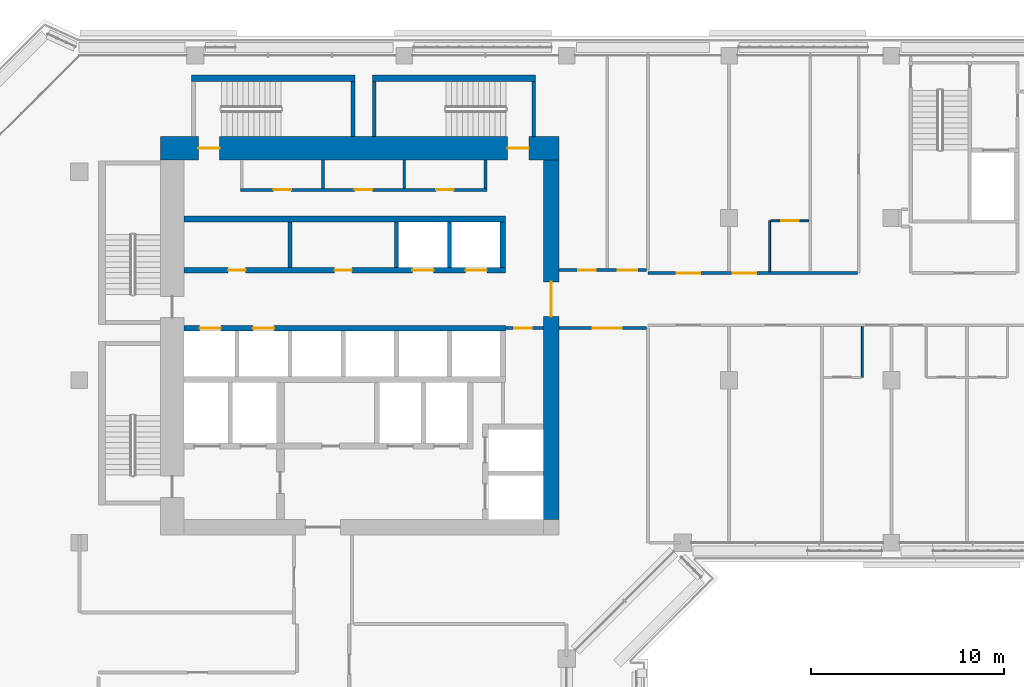
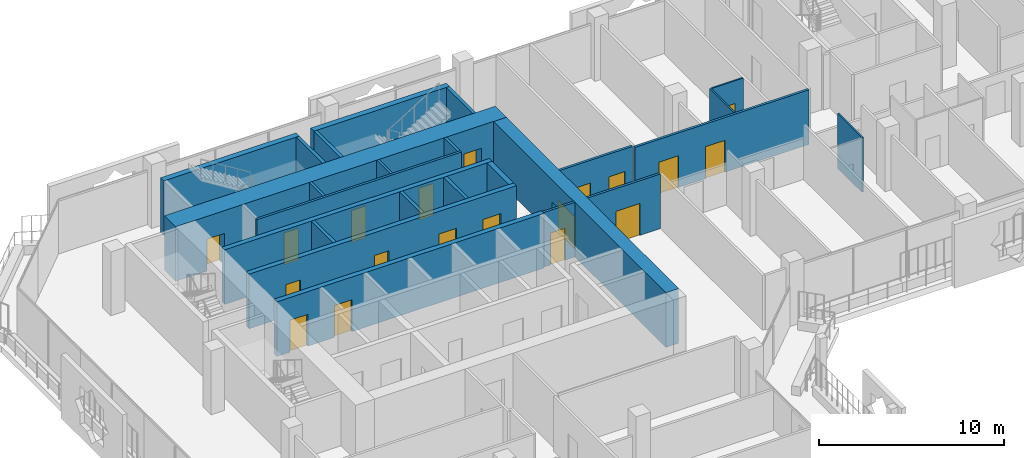
# One storey, part 12 of 22: 25 walls, 19 doors, 19 openings.
"""IFC4 building model written with IfcOpenShell, lengths in metres."""

from ifc_helpers import new_model, si_unit, direction, frame, frame_2d, origin, place, context, subcontext, project, spatial, rectangle, extrude, material, layer, layer_set, type_object, element, fill, save


model = new_model("IFC4")

# Units and contexts
model_context = context("Model", 3, precision=1e-05, world=origin(), true_north=direction((0.0, 1.0)))
body_context = subcontext(model_context, "Body", "Model", "MODEL_VIEW")
ifc_project = project(units=[si_unit("LENGTHUNIT", "METRE"), si_unit("AREAUNIT", "SQUARE_METRE"), si_unit("VOLUMEUNIT", "CUBIC_METRE"), si_unit("PLANEANGLEUNIT", "RADIAN"), si_unit("MASSUNIT", "GRAM", prefix="KILO")], contexts=[model_context])

# Site, building, storey
site_placement = place(None, origin())
site = spatial("IfcSite", under=ifc_project, at=site_placement, CompositionType="ELEMENT")
building_placement = place(site_placement, origin())
building = spatial("IfcBuilding", under=site, at=building_placement, Name="Kawkab Arch Medical Tower", CompositionType="ELEMENT")
storey_placement = place(building_placement, frame((0.0, 0.0, 251.60009765625)))
storey = spatial("IfcBuildingStorey", under=building, at=storey_placement, Name="L58", CompositionType="ELEMENT", Elevation=251.60009765625)

# Wall, openings, doors
ifc_material_1 = material(Name="Concrete C50/60", Category="concrete")
ifc_layer_1 = layer(ifc_material_1, 1.199951171875)
ifc_layer_set_1 = layer_set([ifc_layer_1], Name="Concrete C50/60")
wall_type_1 = type_object("IfcWallType", Name="Core ring wall 1200 C50/60", PredefinedType="SHEAR", material=ifc_layer_set_1)
wall_1_placement = place(storey_placement, frame((4.199951171875, -4.800048828125, 0.0), z_axis=(0.0, 0.0, 1.0), x_axis=(1.0, 0.0, 0.0)))
wall_1 = element("IfcWall", 1, at=wall_1_placement, inside=storey, type_object=wall_type_1, Name="L58 core wall", PredefinedType="SHEAR", context=body_context, shape_type="SweptSolid", body=[
    extrude(rectangle(XDim=20.60009765625, YDim=1.199951171875, at=frame_2d((10.300048828125, 0.0))), origin(), (0.0, 0.0, 1.0), 3.599853515625),
])
opening_1_placement = place(wall_1_placement, frame((1.949951171875, 0.0, 0.0)))
opening_1 = element("IfcOpeningElement", 2, at=opening_1_placement, cuts=wall_1, Name="Opening SD", PredefinedType="OPENING", context=body_context, shape_type="SweptSolid", body=[
    extrude(rectangle(XDim=1.10009765625, YDim=2.10009765625, at=frame_2d((0.550048828125, 1.050048828125))), frame((0.0, 0.60986328125, 0.0), z_axis=(0.0, -1.0, 0.0), x_axis=(1.0, 0.0, 0.0)), (0.0, 0.0, 1.0), 1.219970703125),
])
opening_2_placement = place(wall_1_placement, frame((17.949951171875, 0.0, 0.0)))
opening_2 = element("IfcOpeningElement", 3, at=opening_2_placement, cuts=wall_1, Name="Opening SD", PredefinedType="OPENING", context=body_context, shape_type="SweptSolid", body=[
    extrude(rectangle(XDim=1.10009765625, YDim=2.10009765625, at=frame_2d((0.550048828125, 1.050048828125))), frame((0.0, 0.60986328125, 0.0), z_axis=(0.0, -1.0, 0.0), x_axis=(1.0, 0.0, 0.0)), (0.0, 0.0, 1.0), 1.219970703125),
])
ifc_material_2 = material(Name="Hollow metal fire door leaf")
door_type_1 = type_object("IfcDoorType", Name="Exit stair door 1100", OperationType="SINGLE_SWING_LEFT", PredefinedType="DOOR", material=ifc_material_2)
door_1_placement = place(opening_1_placement, origin())
door_1 = element("IfcDoor", 4, at=door_1_placement, inside=storey, type_object=door_type_1, Name="L58 Exit stair ST3 door", OperationType="SINGLE_SWING_LEFT", OverallHeight=2.10009765625, OverallWidth=1.10009765625, PredefinedType="DOOR", context=body_context, shape_type="SweptSolid", body=[
    extrude(rectangle(XDim=1.10009765625, YDim=2.10009765625, at=frame_2d((0.550048828125, 1.050048828125))), frame((0.0, 0.02490234375, 0.0), z_axis=(0.0, -1.0, 0.0), x_axis=(1.0, 0.0, 0.0)), (0.0, 0.0, 1.0), 0.050048828125),
])
fill(opening_1, door_1)
door_2_placement = place(opening_2_placement, origin())
door_2 = element("IfcDoor", 5, at=door_2_placement, inside=storey, type_object=door_type_1, Name="L58 Exit stair ST4 door", OperationType="SINGLE_SWING_LEFT", OverallHeight=2.10009765625, OverallWidth=1.10009765625, PredefinedType="DOOR", context=body_context, shape_type="SweptSolid", body=[
    extrude(rectangle(XDim=1.10009765625, YDim=2.10009765625, at=frame_2d((0.550048828125, 1.050048828125))), frame((0.0, 0.02490234375, 0.0), z_axis=(0.0, -1.0, 0.0), x_axis=(1.0, 0.0, 0.0)), (0.0, 0.0, 1.0), 0.050048828125),
])
fill(opening_2, door_2)

# Wall, opening, door
ifc_material_3 = material(Name="Concrete C50/60", Category="concrete")
ifc_layer_2 = layer(ifc_material_3, 0.800048828125)
ifc_layer_set_2 = layer_set([ifc_layer_2], Name="Concrete C50/60")
wall_type_2 = type_object("IfcWallType", Name="Core ring wall 800 C50/60", PredefinedType="SHEAR", material=ifc_layer_set_2)
wall_2_placement = place(storey_placement, frame((24.39990234375, -24.0, 0.0), z_axis=(0.0, 0.0, 1.0), x_axis=(0.0, 1.0, 0.0)))
wall_2 = element("IfcWall", 6, at=wall_2_placement, inside=storey, type_object=wall_type_2, Name="L58 core wall", PredefinedType="SHEAR", context=body_context, shape_type="SweptSolid", body=[
    extrude(rectangle(XDim=18.60009765625, YDim=0.800048828125, at=frame_2d((9.300048828125, 0.0))), origin(), (0.0, 0.0, 1.0), 3.599853515625),
])
opening_3_placement = place(wall_2_placement, frame((10.5, 0.0, 0.0)))
opening_3 = element("IfcOpeningElement", 7, at=opening_3_placement, cuts=wall_2, Name="Opening PD", PredefinedType="OPENING", context=body_context, shape_type="SweptSolid", body=[
    extrude(rectangle(XDim=1.800048828125, YDim=2.10009765625, at=frame_2d((0.89990234375, 1.050048828125))), frame((0.0, 0.409912109375, 0.0), z_axis=(0.0, -1.0, 0.0), x_axis=(1.0, 0.0, 0.0)), (0.0, 0.0, 1.0), 0.820068359375),
])
ifc_material_4 = material(Name="Hollow metal fire door leaf")
door_type_2 = type_object("IfcDoorType", Name="Core entrance doors 1800", OperationType="DOUBLE_DOOR_SINGLE_SWING", PredefinedType="DOOR", material=ifc_material_4)
door_3_placement = place(opening_3_placement, origin())
door_3 = element("IfcDoor", 8, at=door_3_placement, inside=storey, type_object=door_type_2, Name="L58 East entrance doors", OperationType="DOUBLE_DOOR_SINGLE_SWING", OverallHeight=2.10009765625, OverallWidth=1.800048828125, PredefinedType="DOOR", context=body_context, shape_type="SweptSolid", body=[
    extrude(rectangle(XDim=1.800048828125, YDim=2.10009765625, at=frame_2d((0.89990234375, 1.050048828125))), frame((0.0, 0.02490234375, 0.0), z_axis=(0.0, -1.0, 0.0), x_axis=(1.0, 0.0, 0.0)), (0.0, 0.0, 1.0), 0.050048828125),
])
fill(opening_3, door_3)

ifc_material_5 = material(Name="Gypsum board on steel studs", Category="steel")
ifc_layer_3 = layer(ifc_material_5, 0.14990234375)
ifc_layer_set_3 = layer_set([ifc_layer_3], Name="Gypsum board on steel studs")
wall_type_3 = type_object("IfcWallType", Name="Core room partition 150", PredefinedType="PARTITIONING", material=ifc_layer_set_3)
wall_3_placement = place(storey_placement, frame((22.050048828125, -14.10009765625, 0.0), z_axis=(0.0, 0.0, 1.0), x_axis=(1.0, 0.0, 0.0)))
wall_3 = element("IfcWall", 9, at=wall_3_placement, inside=storey, type_object=wall_type_3, Name="L58 core room partition", PredefinedType="PARTITIONING", context=body_context, shape_type="SweptSolid", body=[
    extrude(rectangle(XDim=1.949951171875, YDim=0.14990234375, at=frame_2d((0.97509765625, 0.0))), origin(), (0.0, 0.0, 1.0), 3.599853515625),
])
opening_4_placement = place(wall_3_placement, frame((0.449951171875, 0.0, 0.0)))
opening_4 = element("IfcOpeningElement", 10, at=opening_4_placement, cuts=wall_3, Name="Opening RD", PredefinedType="OPENING", context=body_context, shape_type="SweptSolid", body=[
    extrude(rectangle(XDim=0.89990234375, YDim=2.10009765625, at=frame_2d((0.449951171875, 1.050048828125))), frame((0.0, 0.0849609375, 0.0), z_axis=(0.0, -1.0, 0.0), x_axis=(1.0, 0.0, 0.0)), (0.0, 0.0, 1.0), 0.169921875),
])
ifc_material_6 = material(Name="Hollow metal fire door leaf")
door_type_3 = type_object("IfcDoorType", Name="Core room door 900", OperationType="SINGLE_SWING_LEFT", PredefinedType="DOOR", material=ifc_material_6)
door_4_placement = place(opening_4_placement, origin())
door_4 = element("IfcDoor", 11, at=door_4_placement, inside=storey, type_object=door_type_3, Name="L58 Housekeeping store door", OperationType="SINGLE_SWING_LEFT", OverallHeight=2.10009765625, OverallWidth=0.89990234375, PredefinedType="DOOR", context=body_context, shape_type="SweptSolid", body=[
    extrude(rectangle(XDim=0.89990234375, YDim=2.10009765625, at=frame_2d((0.449951171875, 1.050048828125))), frame((0.0, 0.02490234375, 0.0), z_axis=(0.0, -1.0, 0.0), x_axis=(1.0, 0.0, 0.0)), (0.0, 0.0, 1.0), 0.050048828125),
])
fill(opening_4, door_4)

# Wall, openings, doors
wall_4_placement = place(storey_placement, frame((8.324951171875, -6.949951171875, 0.0), z_axis=(0.0, 0.0, 1.0), x_axis=(1.0, 0.0, 0.0)))
wall_4 = element("IfcWall", 12, at=wall_4_placement, inside=storey, type_object=wall_type_3, Name="L58 core room partition", PredefinedType="PARTITIONING", context=body_context, shape_type="SweptSolid", body=[
    extrude(rectangle(XDim=12.75, YDim=0.14990234375, at=frame_2d((6.375, 0.0))), origin(), (0.0, 0.0, 1.0), 3.599853515625),
])
opening_5_placement = place(wall_4_placement, frame((1.72509765625, 0.0, 0.0)))
opening_5 = element("IfcOpeningElement", 13, at=opening_5_placement, cuts=wall_4, Name="Opening RD", PredefinedType="OPENING", context=body_context, shape_type="SweptSolid", body=[
    extrude(rectangle(XDim=0.89990234375, YDim=2.10009765625, at=frame_2d((0.449951171875, 1.050048828125))), frame((0.0, 0.0849609375, 0.0), z_axis=(0.0, -1.0, 0.0), x_axis=(1.0, 0.0, 0.0)), (0.0, 0.0, 1.0), 0.169921875),
])
opening_6_placement = place(wall_4_placement, frame((5.925048828125, 0.0, 0.0)))
opening_6 = element("IfcOpeningElement", 14, at=opening_6_placement, cuts=wall_4, Name="Opening RD", PredefinedType="OPENING", context=body_context, shape_type="SweptSolid", body=[
    extrude(rectangle(XDim=0.89990234375, YDim=2.10009765625, at=frame_2d((0.449951171875, 1.050048828125))), frame((0.0, 0.0849609375, 0.0), z_axis=(0.0, -1.0, 0.0), x_axis=(1.0, 0.0, 0.0)), (0.0, 0.0, 1.0), 0.169921875),
])
opening_7_placement = place(wall_4_placement, frame((10.125, 0.0, 0.0)))
opening_7 = element("IfcOpeningElement", 15, at=opening_7_placement, cuts=wall_4, Name="Opening RD", PredefinedType="OPENING", context=body_context, shape_type="SweptSolid", body=[
    extrude(rectangle(XDim=0.89990234375, YDim=2.10009765625, at=frame_2d((0.449951171875, 1.050048828125))), frame((0.0, 0.0849609375, 0.0), z_axis=(0.0, -1.0, 0.0), x_axis=(1.0, 0.0, 0.0)), (0.0, 0.0, 1.0), 0.169921875),
])
door_5_placement = place(opening_5_placement, origin())
door_5 = element("IfcDoor", 16, at=door_5_placement, inside=storey, type_object=door_type_3, Name="L58 Sprinkler valve room door", OperationType="SINGLE_SWING_LEFT", OverallHeight=2.10009765625, OverallWidth=0.89990234375, PredefinedType="DOOR", context=body_context, shape_type="SweptSolid", body=[
    extrude(rectangle(XDim=0.89990234375, YDim=2.10009765625, at=frame_2d((0.449951171875, 1.050048828125))), frame((0.0, 0.02490234375, 0.0), z_axis=(0.0, -1.0, 0.0), x_axis=(1.0, 0.0, 0.0)), (0.0, 0.0, 1.0), 0.050048828125),
])
fill(opening_5, door_5)
door_6_placement = place(opening_6_placement, origin())
door_6 = element("IfcDoor", 17, at=door_6_placement, inside=storey, type_object=door_type_3, Name="L58 Data room door", OperationType="SINGLE_SWING_LEFT", OverallHeight=2.10009765625, OverallWidth=0.89990234375, PredefinedType="DOOR", context=body_context, shape_type="SweptSolid", body=[
    extrude(rectangle(XDim=0.89990234375, YDim=2.10009765625, at=frame_2d((0.449951171875, 1.050048828125))), frame((0.0, 0.02490234375, 0.0), z_axis=(0.0, -1.0, 0.0), x_axis=(1.0, 0.0, 0.0)), (0.0, 0.0, 1.0), 0.050048828125),
])
fill(opening_6, door_6)
door_7_placement = place(opening_7_placement, origin())
door_7 = element("IfcDoor", 18, at=door_7_placement, inside=storey, type_object=door_type_3, Name="L58 Electrical riser room door", OperationType="SINGLE_SWING_LEFT", OverallHeight=2.10009765625, OverallWidth=0.89990234375, PredefinedType="DOOR", context=body_context, shape_type="SweptSolid", body=[
    extrude(rectangle(XDim=0.89990234375, YDim=2.10009765625, at=frame_2d((0.449951171875, 1.050048828125))), frame((0.0, 0.02490234375, 0.0), z_axis=(0.0, -1.0, 0.0), x_axis=(1.0, 0.0, 0.0)), (0.0, 0.0, 1.0), 0.050048828125),
])
fill(opening_7, door_7)

# Walls
for number, where, z_axis, x_axis, name in (
    (19, (12.60009765625, -6.875, 0.0), (0.0, 0.0, 1.0), (0.0, 1.0, 0.0), "L58 core room partition"),
    (20, (16.800048828125, -6.875, 0.0), (0.0, 0.0, 1.0), (0.0, 1.0, 0.0), "L58 core room partition"),
    (21, (21.0, -6.875, 0.0), (0.0, 0.0, 1.0), (0.0, 1.0, 0.0), "L58 core room partition"),
):
    element("IfcWall", number, at=place(storey_placement, frame(where, z_axis=z_axis, x_axis=x_axis)), inside=storey, type_object=wall_type_3, Name=name, PredefinedType="PARTITIONING", context=body_context, shape_type="SweptSolid", body=[
        extrude(rectangle(XDim=1.47509765625, YDim=0.14990234375, at=frame_2d((0.737548828125, 0.0))), origin(), (0.0, 0.0, 1.0), 3.599853515625),
    ])
ifc_material_7 = material(Name="Concrete C60/75", Category="concrete")
ifc_layer_4 = layer(ifc_material_7, 0.300048828125)
ifc_layer_set_4 = layer_set([ifc_layer_4], Name="Concrete C60/75")
wall_type_4 = type_object("IfcWallType", Name="Core shear wall 300 C60/75", PredefinedType="SHEAR", material=ifc_layer_set_4)
wall_5_placement = place(storey_placement, frame((5.39990234375, -8.449951171875, 0.0), z_axis=(0.0, 0.0, 1.0), x_axis=(1.0, 0.0, 0.0)))
element("IfcWall", 22, at=wall_5_placement, inside=storey, type_object=wall_type_4, Name="L58 core shear wall", PredefinedType="SHEAR", context=body_context, shape_type="SweptSolid", body=[
    extrude(rectangle(XDim=16.650146484375, YDim=0.300048828125, at=frame_2d((8.3251953125, 0.0))), origin(), (0.0, 0.0, 1.0), 3.599853515625),
])

# Wall, openings, doors
wall_6_placement = place(storey_placement, frame((5.39990234375, -11.10009765625, 0.0), z_axis=(0.0, 0.0, 1.0), x_axis=(1.0, 0.0, 0.0)))
wall_6 = element("IfcWall", 23, at=wall_6_placement, inside=storey, type_object=wall_type_4, Name="L58 core shear wall", PredefinedType="SHEAR", context=body_context, shape_type="SweptSolid", body=[
    extrude(rectangle(XDim=16.650146484375, YDim=0.300048828125, at=frame_2d((8.3251953125, 0.0))), origin(), (0.0, 0.0, 1.0), 3.599853515625),
])
opening_8_placement = place(wall_6_placement, frame((11.824951171875, 0.0, 0.0)))
opening_8 = element("IfcOpeningElement", 24, at=opening_8_placement, cuts=wall_6, Name="Opening LD1", PredefinedType="OPENING", context=body_context, shape_type="SweptSolid", body=[
    extrude(rectangle(XDim=1.10009765625, YDim=2.10009765625, at=frame_2d((0.550048828125, 1.050048828125))), frame((0.0, 0.159912109375, 0.0), z_axis=(0.0, -1.0, 0.0), x_axis=(1.0, 0.0, 0.0)), (0.0, 0.0, 1.0), 0.320068359375),
])
opening_9_placement = place(wall_6_placement, frame((14.574951171875, 0.0, 0.0)))
opening_9 = element("IfcOpeningElement", 25, at=opening_9_placement, cuts=wall_6, Name="Opening LD1", PredefinedType="OPENING", context=body_context, shape_type="SweptSolid", body=[
    extrude(rectangle(XDim=1.10009765625, YDim=2.10009765625, at=frame_2d((0.550048828125, 1.050048828125))), frame((0.0, 0.159912109375, 0.0), z_axis=(0.0, -1.0, 0.0), x_axis=(1.0, 0.0, 0.0)), (0.0, 0.0, 1.0), 0.320068359375),
])
opening_10_placement = place(wall_6_placement, frame((2.300048828125, 0.0, 0.0)))
opening_10 = element("IfcOpeningElement", 26, at=opening_10_placement, cuts=wall_6, Name="Opening RD", PredefinedType="OPENING", context=body_context, shape_type="SweptSolid", body=[
    extrude(rectangle(XDim=0.89990234375, YDim=2.10009765625, at=frame_2d((0.449951171875, 1.050048828125))), frame((0.0, 0.159912109375, 0.0), z_axis=(0.0, -1.0, 0.0), x_axis=(1.0, 0.0, 0.0)), (0.0, 0.0, 1.0), 0.320068359375),
])
opening_11_placement = place(wall_6_placement, frame((7.800048828125, 0.0, 0.0)))
opening_11 = element("IfcOpeningElement", 27, at=opening_11_placement, cuts=wall_6, Name="Opening RD", PredefinedType="OPENING", context=body_context, shape_type="SweptSolid", body=[
    extrude(rectangle(XDim=0.89990234375, YDim=2.10009765625, at=frame_2d((0.449951171875, 1.050048828125))), frame((0.0, 0.159912109375, 0.0), z_axis=(0.0, -1.0, 0.0), x_axis=(1.0, 0.0, 0.0)), (0.0, 0.0, 1.0), 0.320068359375),
])
door_8_placement = place(opening_10_placement, origin())
door_8 = element("IfcDoor", 28, at=door_8_placement, inside=storey, type_object=door_type_3, Name="L58 Ward pantry door", OperationType="SINGLE_SWING_LEFT", OverallHeight=2.10009765625, OverallWidth=0.89990234375, PredefinedType="DOOR", context=body_context, shape_type="SweptSolid", body=[
    extrude(rectangle(XDim=0.89990234375, YDim=2.10009765625, at=frame_2d((0.449951171875, 1.050048828125))), frame((0.0, 0.02490234375, 0.0), z_axis=(0.0, -1.0, 0.0), x_axis=(1.0, 0.0, 0.0)), (0.0, 0.0, 1.0), 0.050048828125),
])
fill(opening_10, door_8)
door_9_placement = place(opening_11_placement, origin())
door_9 = element("IfcDoor", 29, at=door_9_placement, inside=storey, type_object=door_type_3, Name="L58 Comms room door", OperationType="SINGLE_SWING_LEFT", OverallHeight=2.10009765625, OverallWidth=0.89990234375, PredefinedType="DOOR", context=body_context, shape_type="SweptSolid", body=[
    extrude(rectangle(XDim=0.89990234375, YDim=2.10009765625, at=frame_2d((0.449951171875, 1.050048828125))), frame((0.0, 0.02490234375, 0.0), z_axis=(0.0, -1.0, 0.0), x_axis=(1.0, 0.0, 0.0)), (0.0, 0.0, 1.0), 0.050048828125),
])
fill(opening_11, door_9)
ifc_material_8 = material(Name="Stainless steel lift door leaf", Category="steel")
door_type_4 = type_object("IfcDoorType", Name="Lift landing door 1100", OperationType="DOUBLE_DOOR_SLIDING", PredefinedType="DOOR", material=ifc_material_8)
door_10_placement = place(opening_8_placement, origin())
door_10 = element("IfcDoor", 30, at=door_10_placement, inside=storey, type_object=door_type_4, Name="L58 Lift landing door MP1", OperationType="DOUBLE_DOOR_SLIDING", OverallHeight=2.10009765625, OverallWidth=1.10009765625, PredefinedType="DOOR", context=body_context, shape_type="SweptSolid", body=[
    extrude(rectangle(XDim=1.10009765625, YDim=2.10009765625, at=frame_2d((0.550048828125, 1.050048828125))), frame((0.0, 0.02490234375, 0.0), z_axis=(0.0, -1.0, 0.0), x_axis=(1.0, 0.0, 0.0)), (0.0, 0.0, 1.0), 0.050048828125),
])
fill(opening_8, door_10)
door_11_placement = place(opening_9_placement, origin())
door_11 = element("IfcDoor", 31, at=door_11_placement, inside=storey, type_object=door_type_4, Name="L58 Lift landing door MP2", OperationType="DOUBLE_DOOR_SLIDING", OverallHeight=2.10009765625, OverallWidth=1.10009765625, PredefinedType="DOOR", context=body_context, shape_type="SweptSolid", body=[
    extrude(rectangle(XDim=1.10009765625, YDim=2.10009765625, at=frame_2d((0.550048828125, 1.050048828125))), frame((0.0, 0.02490234375, 0.0), z_axis=(0.0, -1.0, 0.0), x_axis=(1.0, 0.0, 0.0)), (0.0, 0.0, 1.0), 0.050048828125),
])
fill(opening_9, door_11)

wall_7_placement = place(storey_placement, frame((5.39990234375, -14.10009765625, 0.0), z_axis=(0.0, 0.0, 1.0), x_axis=(1.0, 0.0, 0.0)))
wall_7 = element("IfcWall", 32, at=wall_7_placement, inside=storey, type_object=wall_type_4, Name="L58 core shear wall", PredefinedType="SHEAR", context=body_context, shape_type="SweptSolid", body=[
    extrude(rectangle(XDim=16.650146484375, YDim=0.300048828125, at=frame_2d((8.3251953125, 0.0))), origin(), (0.0, 0.0, 1.0), 3.599853515625),
])
opening_12_placement = place(wall_7_placement, frame((0.824951171875, 0.0, 0.0)))
opening_12 = element("IfcOpeningElement", 33, at=opening_12_placement, cuts=wall_7, Name="Opening LD1", PredefinedType="OPENING", context=body_context, shape_type="SweptSolid", body=[
    extrude(rectangle(XDim=1.10009765625, YDim=2.10009765625, at=frame_2d((0.550048828125, 1.050048828125))), frame((0.0, 0.159912109375, 0.0), z_axis=(0.0, -1.0, 0.0), x_axis=(1.0, 0.0, 0.0)), (0.0, 0.0, 1.0), 0.320068359375),
])
opening_13_placement = place(wall_7_placement, frame((3.574951171875, 0.0, 0.0)))
opening_13 = element("IfcOpeningElement", 34, at=opening_13_placement, cuts=wall_7, Name="Opening LD1", PredefinedType="OPENING", context=body_context, shape_type="SweptSolid", body=[
    extrude(rectangle(XDim=1.10009765625, YDim=2.10009765625, at=frame_2d((0.550048828125, 1.050048828125))), frame((0.0, 0.159912109375, 0.0), z_axis=(0.0, -1.0, 0.0), x_axis=(1.0, 0.0, 0.0)), (0.0, 0.0, 1.0), 0.320068359375),
])
door_12_placement = place(opening_12_placement, origin())
door_12 = element("IfcDoor", 35, at=door_12_placement, inside=storey, type_object=door_type_4, Name="L58 Lift landing door MP3", OperationType="DOUBLE_DOOR_SLIDING", OverallHeight=2.10009765625, OverallWidth=1.10009765625, PredefinedType="DOOR", context=body_context, shape_type="SweptSolid", body=[
    extrude(rectangle(XDim=1.10009765625, YDim=2.10009765625, at=frame_2d((0.550048828125, 1.050048828125))), frame((0.0, 0.02490234375, 0.0), z_axis=(0.0, -1.0, 0.0), x_axis=(1.0, 0.0, 0.0)), (0.0, 0.0, 1.0), 0.050048828125),
])
fill(opening_12, door_12)
door_13_placement = place(opening_13_placement, origin())
door_13 = element("IfcDoor", 36, at=door_13_placement, inside=storey, type_object=door_type_4, Name="L58 Lift landing door MP4", OperationType="DOUBLE_DOOR_SLIDING", OverallHeight=2.10009765625, OverallWidth=1.10009765625, PredefinedType="DOOR", context=body_context, shape_type="SweptSolid", body=[
    extrude(rectangle(XDim=1.10009765625, YDim=2.10009765625, at=frame_2d((0.550048828125, 1.050048828125))), frame((0.0, 0.02490234375, 0.0), z_axis=(0.0, -1.0, 0.0), x_axis=(1.0, 0.0, 0.0)), (0.0, 0.0, 1.0), 0.050048828125),
])
fill(opening_13, door_13)

# Walls
wall_8_placement = place(storey_placement, frame((21.89990234375, -10.949951171875, 0.0), z_axis=(0.0, 0.0, 1.0), x_axis=(0.0, 1.0, 0.0)))
element("IfcWall", 37, at=wall_8_placement, inside=storey, type_object=wall_type_4, Name="L58 core shear wall", PredefinedType="SHEAR", context=body_context, shape_type="SweptSolid", body=[
    extrude(rectangle(XDim=2.349853515625, YDim=0.300048828125, at=frame_2d((1.1748046875, 0.0))), origin(), (0.0, 0.0, 1.0), 3.599853515625),
])
ifc_material_9 = material(Name="Dense concrete blockwork", Category="masonry")
ifc_layer_5 = layer(ifc_material_9, 0.199951171875)
ifc_layer_set_5 = layer_set([ifc_layer_5], Name="Dense concrete blockwork")
wall_type_5 = type_object("IfcWallType", Name="Lift shaft partition 200", PredefinedType="PARTITIONING", material=ifc_layer_set_5)
for number, where, z_axis, x_axis, name in (
    (38, (10.89990234375, -10.949951171875, 0.0), (0.0, 0.0, 1.0), (0.0, 1.0, 0.0), "L58 lift shaft partition"),
    (39, (16.39990234375, -10.949951171875, 0.0), (0.0, 0.0, 1.0), (0.0, 1.0, 0.0), "L58 lift shaft partition"),
    (40, (19.14990234375, -10.949951171875, 0.0), (0.0, 0.0, 1.0), (0.0, 1.0, 0.0), "L58 lift shaft partition"),
):
    element("IfcWall", number, at=place(storey_placement, frame(where, z_axis=z_axis, x_axis=x_axis)), inside=storey, type_object=wall_type_5, Name=name, PredefinedType="PARTITIONING", context=body_context, shape_type="SweptSolid", body=[
        extrude(rectangle(XDim=2.349853515625, YDim=0.199951171875, at=frame_2d((1.1748046875, 0.0))), origin(), (0.0, 0.0, 1.0), 3.599853515625),
    ])

# Wall, opening, door
ifc_material_10 = material(Name="Gypsum board partition on steel studs", Category="steel")
ifc_layer_6 = layer(ifc_material_10, 0.10009765625)
ifc_layer_set_6 = layer_set([ifc_layer_6], Name="Gypsum board partition on steel studs")
wall_type_6 = type_object("IfcWallType", Name="Partition 100", PredefinedType="PARTITIONING", material=ifc_layer_set_6)
wall_9_placement = place(storey_placement, frame((35.75, -8.550048828125, 0.0), z_axis=(0.0, 0.0, 1.0), x_axis=(1.0, 0.0, 0.0)))
wall_9 = element("IfcWall", 41, at=wall_9_placement, inside=storey, type_object=wall_type_6, Name="Partition 100 w004", PredefinedType="PARTITIONING", context=body_context, shape_type="SweptSolid", body=[
    extrude(rectangle(XDim=1.97509765625, YDim=0.10009765625, at=frame_2d((0.987548828125, 0.0))), origin(), (0.0, 0.0, 1.0), 3.599853515625),
])
opening_14_placement = place(wall_9_placement, frame((0.550048828125, 0.0, 0.0)))
opening_14 = element("IfcOpeningElement", 42, at=opening_14_placement, cuts=wall_9, Name="Opening W53-003", PredefinedType="OPENING", context=body_context, shape_type="SweptSolid", body=[
    extrude(rectangle(XDim=0.89990234375, YDim=2.10009765625, at=frame_2d((0.449951171875, 1.050048828125))), frame((0.0, 0.06005859375, 0.0), z_axis=(0.0, -1.0, 0.0), x_axis=(1.0, 0.0, 0.0)), (0.0, 0.0, 1.0), 0.1201171875),
])
ifc_material_11 = material(Name="Timber door leaf", Category="wood")
door_type_5 = type_object("IfcDoorType", Name="Single door 900x2100", OperationType="NOTDEFINED", PredefinedType="DOOR", material=ifc_material_11)
door_14_placement = place(opening_14_placement, origin())
door_14 = element("IfcDoor", 43, at=door_14_placement, inside=storey, type_object=door_type_5, Name="Door W53-003", OperationType="SINGLE_SWING_RIGHT", OverallHeight=2.10009765625, OverallWidth=0.89990234375, PredefinedType="DOOR", context=body_context, shape_type="SweptSolid", body=[
    extrude(rectangle(XDim=0.89990234375, YDim=2.10009765625, at=frame_2d((0.449951171875, 1.050048828125))), frame((0.0, 0.02490234375, 0.0), z_axis=(0.0, -1.0, 0.0), x_axis=(1.0, 0.0, 0.0)), (0.0, 0.0, 1.0), 0.050048828125),
])
fill(opening_14, door_14)

# Walls
for number, where, z_axis, x_axis, name in (
    (44, (35.699951171875, -11.175048828125, 0.0), (0.0, 0.0, 1.0), (0.0, 1.0, 0.0), "Partition 100 w006"),
    (45, (40.5, -16.64990234375, 0.0), (0.0, 0.0, 1.0), (0.0, 1.0, 0.0), "Partition 100 w007"),
):
    element("IfcWall", number, at=place(storey_placement, frame(where, z_axis=z_axis, x_axis=x_axis)), inside=storey, type_object=wall_type_6, Name=name, PredefinedType="PARTITIONING", context=body_context, shape_type="SweptSolid", body=[
        extrude(rectangle(XDim=2.625, YDim=0.10009765625, at=frame_2d((1.3125, 0.0))), origin(), (0.0, 0.0, 1.0), 3.599853515625),
    ])

# Wall, opening, door
ifc_material_12 = material(Name="Gypsum board partition on steel studs, mineral wool", Category="steel")
ifc_layer_7 = layer(ifc_material_12, 0.14990234375)
ifc_layer_set_7 = layer_set([ifc_layer_7], Name="Gypsum board partition on steel studs, mineral wool")
wall_type_7 = type_object("IfcWallType", Name="Partition 150", PredefinedType="PARTITIONING", material=ifc_layer_set_7)
wall_10_placement = place(storey_placement, frame((24.800048828125, -14.10009765625, 0.0), z_axis=(0.0, 0.0, 1.0), x_axis=(1.0, 0.0, 0.0)))
wall_10 = element("IfcWall", 46, at=wall_10_placement, inside=storey, type_object=wall_type_7, Name="Partition 150 w022", PredefinedType="PARTITIONING", context=body_context, shape_type="SweptSolid", body=[
    extrude(rectangle(XDim=4.52490234375, YDim=0.14990234375, at=frame_2d((2.262451171875, 0.0))), origin(), (0.0, 0.0, 1.0), 3.599853515625),
])
opening_15_placement = place(wall_10_placement, frame((1.75, 0.0, 0.0)))
opening_15 = element("IfcOpeningElement", 47, at=opening_15_placement, cuts=wall_10, Name="Opening W53-001", PredefinedType="OPENING", context=body_context, shape_type="SweptSolid", body=[
    extrude(rectangle(XDim=1.5, YDim=2.10009765625, at=frame_2d((0.75, 1.050048828125))), frame((0.0, 0.0849609375, 0.0), z_axis=(0.0, -1.0, 0.0), x_axis=(1.0, 0.0, 0.0)), (0.0, 0.0, 1.0), 0.169921875),
])
ifc_material_13 = material(Name="Hollow metal door leaf")
door_type_6 = type_object("IfcDoorType", Name="Double door 1500x2100 FD30S", OperationType="NOTDEFINED", PredefinedType="DOOR", material=ifc_material_13)
door_15_placement = place(opening_15_placement, origin())
door_15 = element("IfcDoor", 48, at=door_15_placement, inside=storey, type_object=door_type_6, Name="Door W53-001", OperationType="DOUBLE_DOOR_SINGLE_SWING", OverallHeight=2.10009765625, OverallWidth=1.5, PredefinedType="DOOR", context=body_context, shape_type="SweptSolid", body=[
    extrude(rectangle(XDim=1.5, YDim=2.10009765625, at=frame_2d((0.75, 1.050048828125))), frame((0.0, 0.02490234375, 0.0), z_axis=(0.0, -1.0, 0.0), x_axis=(1.0, 0.0, 0.0)), (0.0, 0.0, 1.0), 0.050048828125),
])
fill(opening_15, door_15)

# Wall, openings, doors
wall_11_placement = place(storey_placement, frame((29.39990234375, -11.25, 0.0), z_axis=(0.0, 0.0, 1.0), x_axis=(1.0, 0.0, 0.0)))
wall_11 = element("IfcWall", 49, at=wall_11_placement, inside=storey, type_object=wall_type_7, Name="Partition 150 w024", PredefinedType="PARTITIONING", context=body_context, shape_type="SweptSolid", body=[
    extrude(rectangle(XDim=10.83203125, YDim=0.14990234375, at=frame_2d((5.416015625, 0.0))), origin(), (0.0, 0.0, 1.0), 3.599853515625),
])
opening_16_placement = place(wall_11_placement, frame((4.39990234375, 0.0, 0.0)))
opening_16 = element("IfcOpeningElement", 50, at=opening_16_placement, cuts=wall_11, Name="Opening W53-024", PredefinedType="OPENING", context=body_context, shape_type="SweptSolid", body=[
    extrude(rectangle(XDim=1.199951171875, YDim=2.10009765625, at=frame_2d((0.60009765625, 1.050048828125))), frame((0.0, 0.0849609375, 0.0), z_axis=(0.0, -1.0, 0.0), x_axis=(1.0, 0.0, 0.0)), (0.0, 0.0, 1.0), 0.169921875),
])
opening_17_placement = place(wall_11_placement, frame((1.5, 0.0, 0.0)))
opening_17 = element("IfcOpeningElement", 51, at=opening_17_placement, cuts=wall_11, Name="Opening W53-031", PredefinedType="OPENING", context=body_context, shape_type="SweptSolid", body=[
    extrude(rectangle(XDim=1.199951171875, YDim=2.10009765625, at=frame_2d((0.60009765625, 1.050048828125))), frame((0.0, 0.0849609375, 0.0), z_axis=(0.0, -1.0, 0.0), x_axis=(1.0, 0.0, 0.0)), (0.0, 0.0, 1.0), 0.169921875),
])
ifc_material_14 = material(Name="Hollow metal door leaf")
door_type_7 = type_object("IfcDoorType", Name="Single door 1200x2100 FD30S", OperationType="NOTDEFINED", PredefinedType="DOOR", material=ifc_material_14)
door_16_placement = place(opening_16_placement, origin())
door_16 = element("IfcDoor", 52, at=door_16_placement, inside=storey, type_object=door_type_7, Name="Door W53-024", OperationType="SINGLE_SWING_LEFT", OverallHeight=2.10009765625, OverallWidth=1.199951171875, PredefinedType="DOOR", context=body_context, shape_type="SweptSolid", body=[
    extrude(rectangle(XDim=1.199951171875, YDim=2.10009765625, at=frame_2d((0.60009765625, 1.050048828125))), frame((0.0, 0.02490234375, 0.0), z_axis=(0.0, -1.0, 0.0), x_axis=(1.0, 0.0, 0.0)), (0.0, 0.0, 1.0), 0.050048828125),
])
fill(opening_16, door_16)
door_17_placement = place(opening_17_placement, origin())
door_17 = element("IfcDoor", 53, at=door_17_placement, inside=storey, type_object=door_type_7, Name="Door W53-031", OperationType="SINGLE_SWING_LEFT", OverallHeight=2.10009765625, OverallWidth=1.199951171875, PredefinedType="DOOR", context=body_context, shape_type="SweptSolid", body=[
    extrude(rectangle(XDim=1.199951171875, YDim=2.10009765625, at=frame_2d((0.60009765625, 1.050048828125))), frame((0.0, 0.02490234375, 0.0), z_axis=(0.0, -1.0, 0.0), x_axis=(1.0, 0.0, 0.0)), (0.0, 0.0, 1.0), 0.050048828125),
])
fill(opening_17, door_17)

wall_12_placement = place(storey_placement, frame((24.800048828125, -11.10009765625, 0.0), z_axis=(0.0, 0.0, 1.0), x_axis=(1.0, 0.0, 0.0)))
wall_12 = element("IfcWall", 54, at=wall_12_placement, inside=storey, type_object=wall_type_7, Name="Partition 150 w027", PredefinedType="PARTITIONING", context=body_context, shape_type="SweptSolid", body=[
    extrude(rectangle(XDim=4.52490234375, YDim=0.14990234375, at=frame_2d((2.262451171875, 0.0))), origin(), (0.0, 0.0, 1.0), 3.599853515625),
])
opening_18_placement = place(wall_12_placement, frame((1.0, 0.0, 0.0)))
opening_18 = element("IfcOpeningElement", 55, at=opening_18_placement, cuts=wall_12, Name="Opening W53-009", PredefinedType="OPENING", context=body_context, shape_type="SweptSolid", body=[
    extrude(rectangle(XDim=0.89990234375, YDim=2.10009765625, at=frame_2d((0.449951171875, 1.050048828125))), frame((0.0, 0.0849609375, 0.0), z_axis=(0.0, -1.0, 0.0), x_axis=(1.0, 0.0, 0.0)), (0.0, 0.0, 1.0), 0.169921875),
])
opening_19_placement = place(wall_12_placement, frame((3.050048828125, 0.0, 0.0)))
opening_19 = element("IfcOpeningElement", 56, at=opening_19_placement, cuts=wall_12, Name="Opening W53-010", PredefinedType="OPENING", context=body_context, shape_type="SweptSolid", body=[
    extrude(rectangle(XDim=1.0, YDim=2.10009765625, at=frame_2d((0.5, 1.050048828125))), frame((0.0, 0.0849609375, 0.0), z_axis=(0.0, -1.0, 0.0), x_axis=(1.0, 0.0, 0.0)), (0.0, 0.0, 1.0), 0.169921875),
])
ifc_material_15 = material(Name="Timber door leaf", Category="wood")
door_type_8 = type_object("IfcDoorType", Name="Single door 1000x2100", OperationType="NOTDEFINED", PredefinedType="DOOR", material=ifc_material_15)
door_18_placement = place(opening_19_placement, origin())
door_18 = element("IfcDoor", 57, at=door_18_placement, inside=storey, type_object=door_type_8, Name="Door W53-010", OperationType="SINGLE_SWING_RIGHT", OverallHeight=2.10009765625, OverallWidth=1.0, PredefinedType="DOOR", context=body_context, shape_type="SweptSolid", body=[
    extrude(rectangle(XDim=1.0, YDim=2.10009765625, at=frame_2d((0.5, 1.050048828125))), frame((0.0, 0.02490234375, 0.0), z_axis=(0.0, -1.0, 0.0), x_axis=(1.0, 0.0, 0.0)), (0.0, 0.0, 1.0), 0.050048828125),
])
fill(opening_19, door_18)
door_19_placement = place(opening_18_placement, origin())
door_19 = element("IfcDoor", 58, at=door_19_placement, inside=storey, type_object=door_type_5, Name="Door W53-009", OperationType="SINGLE_SWING_LEFT", OverallHeight=2.10009765625, OverallWidth=0.89990234375, PredefinedType="DOOR", context=body_context, shape_type="SweptSolid", body=[
    extrude(rectangle(XDim=0.89990234375, YDim=2.10009765625, at=frame_2d((0.449951171875, 1.050048828125))), frame((0.0, 0.02490234375, 0.0), z_axis=(0.0, -1.0, 0.0), x_axis=(1.0, 0.0, 0.0)), (0.0, 0.0, 1.0), 0.050048828125),
])
fill(opening_18, door_19)

# Walls
ifc_material_16 = material(Name="Concrete C50/60", Category="concrete")
ifc_layer_8 = layer(ifc_material_16, 0.199951171875)
ifc_layer_set_8 = layer_set([ifc_layer_8], Name="Concrete C50/60")
wall_type_8 = type_object("IfcWallType", Name="Stair enclosure wall 200 C50/60", PredefinedType="SHEAR", material=ifc_layer_set_8)
for number, where, z_axis, x_axis, name in (
    (59, (14.14990234375, -4.199951171875, 0.0), (0.0, 0.0, 1.0), (0.0, 1.0, 0.0), "L58 stair enclosure wall"),
    (60, (15.25, -4.199951171875, 0.0), (0.0, 0.0, 1.0), (0.0, 1.0, 0.0), "L58 stair enclosure wall"),
    (61, (23.5, -4.199951171875, 0.0), (0.0, 0.0, 1.0), (0.0, 1.0, 0.0), "L58 stair enclosure wall"),
):
    element("IfcWall", number, at=place(storey_placement, frame(where, z_axis=z_axis, x_axis=x_axis)), inside=storey, type_object=wall_type_8, Name=name, PredefinedType="SHEAR", context=body_context, shape_type="SweptSolid", body=[
        extrude(rectangle(XDim=2.849853515625, YDim=0.199951171875, at=frame_2d((1.4248046875, 0.0))), origin(), (0.0, 0.0, 1.0), 3.599853515625),
    ])
ifc_material_17 = material(Name="Concrete C50/60", Category="concrete")
ifc_layer_9 = layer(ifc_material_17, 0.35009765625)
ifc_layer_set_9 = layer_set([ifc_layer_9], Name="Concrete C50/60")
wall_type_9 = type_object("IfcWallType", Name="Stair enclosure wall 350 C50/60", PredefinedType="SHEAR", material=ifc_layer_set_9)
wall_13_placement = place(storey_placement, frame((5.800048828125, -1.175048828125, 0.0), z_axis=(0.0, 0.0, 1.0), x_axis=(1.0, 0.0, 0.0)))
element("IfcWall", 62, at=wall_13_placement, inside=storey, type_object=wall_type_9, Name="L58 stair enclosure wall", PredefinedType="SHEAR", context=body_context, shape_type="SweptSolid", body=[
    extrude(rectangle(XDim=8.449951171875, YDim=0.35009765625, at=frame_2d((4.22509765625, 0.0))), origin(), (0.0, 0.0, 1.0), 3.599853515625),
])
wall_14_placement = place(storey_placement, frame((15.14990234375, -1.175048828125, 0.0), z_axis=(0.0, 0.0, 1.0), x_axis=(1.0, 0.0, 0.0)))
element("IfcWall", 63, at=wall_14_placement, inside=storey, type_object=wall_type_9, Name="L58 stair enclosure wall", PredefinedType="SHEAR", context=body_context, shape_type="SweptSolid", body=[
    extrude(rectangle(XDim=8.4501953125, YDim=0.35009765625, at=frame_2d((4.22509765625, 0.0))), origin(), (0.0, 0.0, 1.0), 3.599853515625),
])

save(model, "model.ifc")
